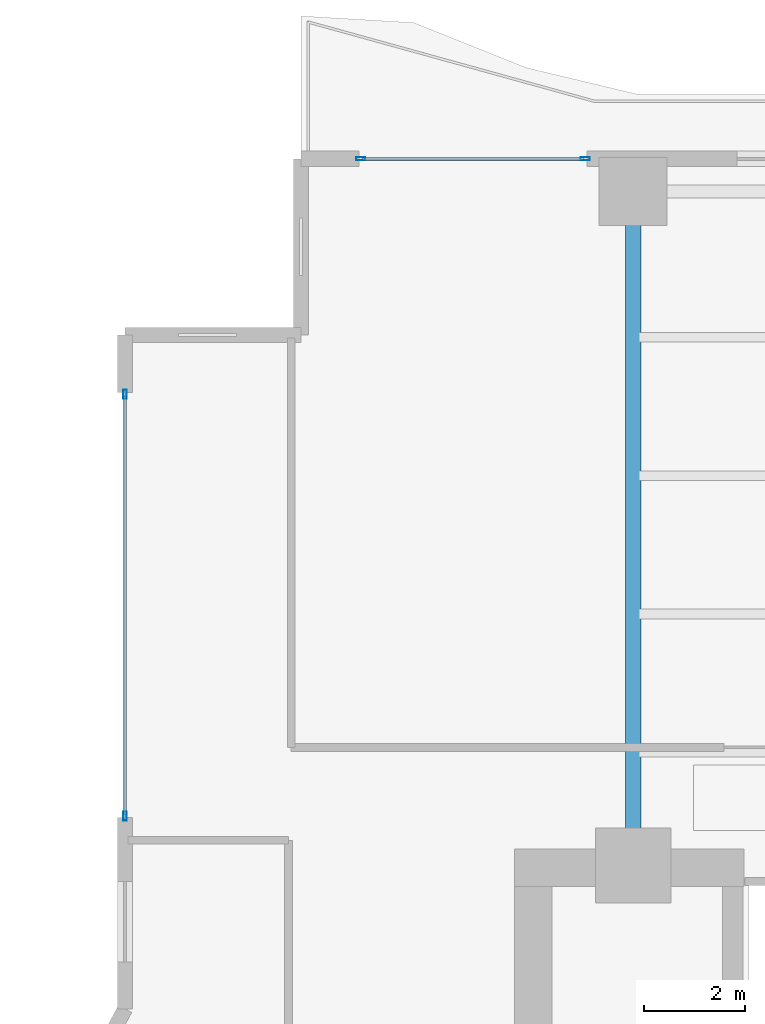
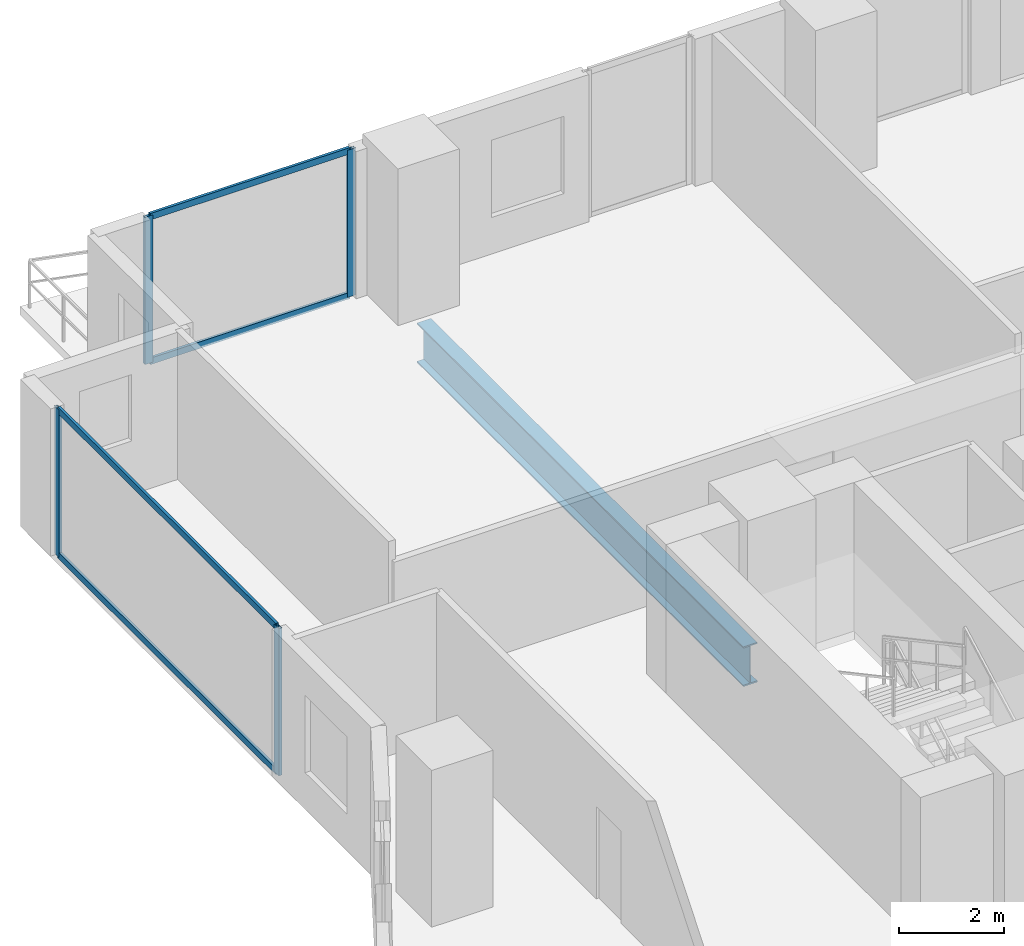
# One storey, part 14 of 28: 8 members, 1 beam, 2 elements without a shape of their own.
"""IFC4 building model written with IfcOpenShell, lengths in metres."""

import ifcopenshell
import ifcopenshell.guid

model = None  # the IFC model being written
_history = None  # IfcOwnerHistory: only IFC2X3 demands one
_inside = {}  # id of a spatial element -> (the spatial element, [elements in it])
_under = {}  # id of a project, library or spatial element -> (it, [spatial elements below it])
_declared = {}  # id of a project -> (the project, [libraries it declares])
_typed = {}  # id of a type object -> (the type object, [elements of that type])
_made_of = {}  # id of a material, layer set ... -> (it, [elements and type objects made of it])


def new_model(schema):
    """Start an empty IFC model of exactly this schema.

    Asked for "IFC4X3", IfcOpenShell would pick the latest addendum, in which some entities
    have other attributes; the version numbers below select the first issue.
    IFC2X3 requires an IfcOwnerHistory on every rooted entity: one is made here for all.
    """
    global model, _history
    if schema == "IFC4X3":
        model = ifcopenshell.file(schema_version=(4, 3, 0, 0))
    else:
        model = ifcopenshell.file(schema=schema)
    _inside.clear()
    _under.clear()
    _declared.clear()
    _typed.clear()
    _made_of.clear()
    _history = None
    if model.schema == "IFC2X3":
        org = make("IfcOrganization", Name="unknown")
        user = make(
            "IfcPersonAndOrganization",
            ThePerson=make("IfcPerson", FamilyName="unknown"),
            TheOrganization=org,
        )
        app = make(
            "IfcApplication",
            ApplicationDeveloper=org,
            Version="unknown",
            ApplicationFullName="unknown",
            ApplicationIdentifier="unknown",
        )
        _history = make(
            "IfcOwnerHistory",
            OwningUser=user,
            OwningApplication=app,
            ChangeAction="ADDED",
            CreationDate=0,
        )
    return model


def make(cls, **values):
    """One entity of the class cls with the attributes given. An attribute that is None is left unset."""
    return model.create_entity(
        cls, **{name: value for name, value in values.items() if value is not None}
    )


def rooted(cls, **values):
    """An entity with a GlobalId (a new one), such as an element, a storey or a relation."""
    return make(cls, GlobalId=ifcopenshell.guid.new(), OwnerHistory=_history, **values)


def si_unit(unit_type, name, prefix=None):
    """IfcSIUnit, for example si_unit("LENGTHUNIT", "METRE", prefix="MILLI")."""
    return make("IfcSIUnit", UnitType=unit_type, Prefix=prefix, Name=name)


def assignment(units):
    """IfcUnitAssignment: the units of a project."""
    return None if units is None else make("IfcUnitAssignment", Units=units)


def point(xyz):
    """IfcCartesianPoint."""
    return None if xyz is None else make("IfcCartesianPoint", Coordinates=xyz)


def direction(xyz):
    """IfcDirection."""
    return None if xyz is None else make("IfcDirection", DirectionRatios=xyz)


def frame(location, z_axis=None, x_axis=None):
    """IfcAxis2Placement3D, a coordinate frame: its origin and axes. An axis left out is left unset."""
    return make(
        "IfcAxis2Placement3D",
        Location=point(location),
        Axis=direction(z_axis),
        RefDirection=direction(x_axis),
    )


def frame_2d(location, x_axis=None):
    """IfcAxis2Placement2D, a coordinate frame in the plane: its origin and x axis."""
    return make(
        "IfcAxis2Placement2D", Location=point(location), RefDirection=direction(x_axis)
    )


def origin():
    """The frame at (0, 0, 0) with its axes left unset."""
    return frame((0.0, 0.0, 0.0))


def origin_2d():
    """The frame at (0, 0) in the plane with its x axis left unset."""
    return frame_2d((0.0, 0.0))


def place(relative_to, where):
    """IfcLocalPlacement: puts the frame where relative to a parent placement (None: the world)."""
    return make(
        "IfcLocalPlacement", PlacementRelTo=relative_to, RelativePlacement=where
    )


def context(
    kind, dimensions, precision=None, world=None, true_north=None, identifier=None
):
    """IfcGeometricRepresentationContext, for example the 3D "Model" context."""
    return make(
        "IfcGeometricRepresentationContext",
        ContextIdentifier=identifier,
        ContextType=kind,
        CoordinateSpaceDimension=dimensions,
        Precision=precision,
        WorldCoordinateSystem=world,
        TrueNorth=true_north,
    )


def subcontext(parent, identifier, kind, view, scale=None):
    """IfcGeometricRepresentationSubContext, for example "Body" below "Model"."""
    return make(
        "IfcGeometricRepresentationSubContext",
        ContextIdentifier=identifier,
        ContextType=kind,
        ParentContext=parent,
        TargetScale=scale,
        TargetView=view,
    )


def project(units=None, contexts=None):
    """IfcProject with its units and contexts."""
    return rooted(
        "IfcProject",
        Name="project",
        RepresentationContexts=contexts,
        UnitsInContext=assignment(units),
    )


def spatial(cls, under=None, at=None, **own):
    """A site, building, storey or space (cls), placed at a placement, below another one or the project."""
    s = rooted(cls, ObjectPlacement=at, **own)
    if under is not None:
        _under.setdefault(under.id(), (under, []))[1].append(s)
    return s


def profile(cls, at=None, kind="AREA", **sizes):
    """A parametric profile (cls). Its sizes go by their IFC names, for example OverallWidth=200.0."""
    return make(cls, ProfileType=kind, Position=at, **sizes)


def hollow_rectangle(**sizes):
    """IfcRectangleHollowProfileDef."""
    return profile("IfcRectangleHollowProfileDef", **sizes)


def i_section(**sizes):
    """IfcIShapeProfileDef."""
    return profile("IfcIShapeProfileDef", **sizes)


def extrude(swept, where, along, depth):
    """IfcExtrudedAreaSolid: the profile swept, set in the frame where, extruded along a direction by depth."""
    return make(
        "IfcExtrudedAreaSolid",
        SweptArea=swept,
        Position=where,
        ExtrudedDirection=direction(along),
        Depth=depth,
    )


def shape(context_of_items, identifier, shape_type, items):
    """IfcShapeRepresentation: the items that make up one representation, for example the "Body"."""
    return make(
        "IfcShapeRepresentation",
        ContextOfItems=context_of_items,
        RepresentationIdentifier=identifier,
        RepresentationType=shape_type,
        Items=items,
    )


def material(Name=None, Category=None):
    """IfcMaterial."""
    return make("IfcMaterial", Name=Name, Category=Category)


def layer(
    of_material, thickness, ventilated=None, Name=None, Category=None, Priority=None
):
    """IfcMaterialLayer: one layer of a wall or slab, of a material (None: an air gap)."""
    return make(
        "IfcMaterialLayer",
        Material=of_material,
        LayerThickness=thickness,
        IsVentilated=ventilated,
        Name=Name,
        Category=Category,
        Priority=Priority,
    )


def layer_set(layers, Name=None):
    """IfcMaterialLayerSet."""
    return make("IfcMaterialLayerSet", MaterialLayers=layers, LayerSetName=Name)


def material_profile(
    of_material, cross_section, Name=None, Category=None, Priority=None
):
    """IfcMaterialProfile: a cross section and its material."""
    return make(
        "IfcMaterialProfile",
        Name=Name,
        Material=of_material,
        Profile=cross_section,
        Priority=Priority,
        Category=Category,
    )


def profile_set(profiles, Name=None, composite=None):
    """IfcMaterialProfileSet."""
    return make(
        "IfcMaterialProfileSet",
        Name=Name,
        MaterialProfiles=profiles,
        CompositeProfile=composite,
    )


def made_of(thing, what):
    """Note that an element or type object is made of a material, layer set ...; save() writes the relation."""
    if what is not None:
        _made_of.setdefault(what.id(), (what, []))[1].append(thing)
    return thing


def type_object(cls, material=None, **own):
    """A type object (cls), such as IfcWallType, which elements share."""
    return made_of(rooted(cls, **own), material)


def element(
    cls,
    number,
    at=None,
    inside=None,
    cuts=None,
    type_object=None,
    material=None,
    context=None,
    identifier="Body",
    shape_type=None,
    held_by="IfcProductDefinitionShape",
    body=None,
    shapes=None,
    **own,
):
    """One element of the class cls, such as IfcWall. Its Tag is "e" and its number.

    at: its placement. inside: the storey or other place that contains it. cuts: it is an
    opening in that element (IfcRelVoidsElement). A single representation is given by context,
    identifier, shape_type and body (its items); several are given by shapes. held_by: the class
    of the entity that holds the representations. save() writes the other relations.
    """
    e = rooted(cls, Tag="e%d" % number, ObjectPlacement=at, **own)
    if body is not None:
        shapes = [shape(context, identifier, shape_type, body)]
    if shapes is not None:
        e.Representation = make(held_by, Representations=shapes)
    if inside is not None:
        _inside.setdefault(inside.id(), (inside, []))[1].append(e)
    if cuts is not None:
        rooted(
            "IfcRelVoidsElement", RelatingBuildingElement=cuts, RelatedOpeningElement=e
        )
    if type_object is not None:
        _typed.setdefault(type_object.id(), (type_object, []))[1].append(e)
    return made_of(e, material)


def aggregate(whole, parts):
    """IfcRelAggregates: a whole, such as a stair, and the parts it consists of."""
    return rooted("IfcRelAggregates", RelatingObject=whole, RelatedObjects=parts)


def save(model, path):
    """Write the relations noted so far, then the file.

    IfcRelAggregates (storeys below a building ...), IfcRelContainedInSpatialStructure (elements
    in a storey), IfcRelDefinesByType, IfcRelAssociatesMaterial and IfcRelDeclares: one each for
    every whole, place, type object, material and project.
    """
    for whole, parts in _under.values():
        aggregate(whole, parts)
    for where, things in _inside.values():
        rooted(
            "IfcRelContainedInSpatialStructure",
            RelatedElements=things,
            RelatingStructure=where,
        )
    for kind, things in _typed.values():
        rooted("IfcRelDefinesByType", RelatedObjects=things, RelatingType=kind)
    for what, things in _made_of.values():
        rooted("IfcRelAssociatesMaterial", RelatedObjects=things, RelatingMaterial=what)
    for by, libraries in _declared.values():
        rooted("IfcRelDeclares", RelatingContext=by, RelatedDefinitions=libraries)
    model.write(path)


model = new_model("IFC4")

# Units and contexts
model_context = context("Model", 3, precision=1e-05, world=origin(), true_north=direction((0.0, 1.0)))
body_context = subcontext(model_context, "Body", "Model", "MODEL_VIEW")
ifc_project = project(units=[si_unit("LENGTHUNIT", "METRE"), si_unit("AREAUNIT", "SQUARE_METRE"), si_unit("VOLUMEUNIT", "CUBIC_METRE"), si_unit("PLANEANGLEUNIT", "RADIAN"), si_unit("MASSUNIT", "GRAM", prefix="KILO")], contexts=[model_context])

# Site, building, storey
site_placement = place(None, origin())
site = spatial("IfcSite", under=ifc_project, at=site_placement, CompositionType="ELEMENT")
building_placement = place(site_placement, origin())
building = spatial("IfcBuilding", under=site, at=building_placement, Name="Zuhayl Quay Hotel", CompositionType="ELEMENT")
storey_placement = place(building_placement, frame((0.0, 0.0, 143.10009765625)))
storey = spatial("IfcBuildingStorey", under=building, at=storey_placement, Name="L36", CompositionType="ELEMENT", Elevation=143.10009765625)

# Beam
ifc_material_1 = material(Name="Steel ASTM A992 Grade 50", Category="steel")
ifc_material_profile_1 = material_profile(ifc_material_1, i_section(OverallWidth=0.306884765625, OverallDepth=0.927001953125, WebThickness=0.019287109375, FlangeThickness=0.031982421875, at=origin_2d()), Name="W36X194")
ifc_profile_set_1 = profile_set([ifc_material_profile_1], Name="Steel ASTM A992 Grade 50")
beam_type = type_object("IfcBeamType", Name="BM_PG2_W36X194", PredefinedType="BEAM", material=ifc_profile_set_1)
beam_placement = place(storey_placement, frame((-13.800048828125, 14.800048828125, -0.68359375), z_axis=(0.0, 1.0, 0.0), x_axis=(-1.0, 0.0, 0.0)))
element("IfcBeam", 1, at=beam_placement, inside=storey, type_object=beam_type, Name="L36 Floor Beam FG_N_L36_1", PredefinedType="BEAM", context=body_context, shape_type="SweptSolid", body=[
    extrude(i_section(OverallWidth=0.306884765625, OverallDepth=0.927001953125, WebThickness=0.019287109375, FlangeThickness=0.031982421875, at=origin_2d()), origin(), (0.0, 0.0, 1.0), 12.449951171875),
])

# Curtain wall, members
ifc_material_2 = material(Name="Anodised Aluminium 6063-T6", Category="aluminium")
ifc_layer = layer(ifc_material_2, 0.179931640625, Name="Anodised Aluminium 6063-T6", Category="aluminium")
ifc_layer_set = layer_set([ifc_layer], Name="Anodised Aluminium 6063-T6")
curtain_wall_type = type_object("IfcCurtainWallType", Name="CW_SYS_Z2", PredefinedType="USERDEFINED", material=ifc_layer_set)
curtain_wall_1_placement = place(storey_placement, origin())
curtain_wall_1 = element("IfcCurtainWall", 2, at=curtain_wall_1_placement, inside=storey, type_object=curtain_wall_type, Name="L36 Curtain Wall ENV_L36_E05_CW1", ObjectType="UNITISED CURTAIN WALL", PredefinedType="USERDEFINED")
ifc_material_3 = material(Name="Black-anodised aluminium 6063-T6", Category="aluminium")
ifc_material_profile_2 = material_profile(ifc_material_3, hollow_rectangle(XDim=0.06494140625, YDim=0.179931640625, WallThickness=0.00341796875, at=origin_2d()), Name="ALU180X65")
ifc_profile_set_2 = profile_set([ifc_material_profile_2], Name="Black-anodised aluminium 6063-T6")
member_type_1 = type_object("IfcMemberType", Name="MB_CW_MUL_180", PredefinedType="MULLION", material=ifc_profile_set_2)
member_1_placement = place(storey_placement, frame((-23.89990234375, 15.33251953125, 0.0), z_axis=(0.0, 0.0, 1.0), x_axis=(-1.0, 0.0, 0.0)))
member_1 = element("IfcMember", 3, at=member_1_placement, type_object=member_type_1, Name="CW-Z2 mullion 1", PredefinedType="MULLION", context=body_context, shape_type="SweptSolid", body=[
    extrude(hollow_rectangle(XDim=0.06494140625, YDim=0.179931640625, WallThickness=0.00341796875, at=origin_2d()), origin(), (0.0, 0.0, 1.0), 3.429931640625),
])
member_2_placement = place(storey_placement, frame((-23.89990234375, 23.717529296875, 0.0), z_axis=(0.0, 0.0, 1.0), x_axis=(-1.0, 0.0, 0.0)))
member_2 = element("IfcMember", 4, at=member_2_placement, type_object=member_type_1, Name="CW-Z2 mullion 2", PredefinedType="MULLION", context=body_context, shape_type="SweptSolid", body=[
    extrude(hollow_rectangle(XDim=0.06494140625, YDim=0.179931640625, WallThickness=0.00341796875, at=origin_2d()), origin(), (0.0, 0.0, 1.0), 3.429931640625),
])

curtain_wall_2_placement = place(storey_placement, origin())
curtain_wall_2 = element("IfcCurtainWall", 5, at=curtain_wall_2_placement, inside=storey, type_object=curtain_wall_type, Name="L36 Curtain Wall ENV_L36_N_CW1", ObjectType="UNITISED CURTAIN WALL", PredefinedType="USERDEFINED")
member_3_placement = place(storey_placement, frame((-19.217529296875, 28.39990234375, 0.0), z_axis=(0.0, 0.0, 1.0), x_axis=(0.0, 1.0, 0.0)))
member_3 = element("IfcMember", 6, at=member_3_placement, type_object=member_type_1, Name="CW-Z2 mullion 1", PredefinedType="MULLION", context=body_context, shape_type="SweptSolid", body=[
    extrude(hollow_rectangle(XDim=0.06494140625, YDim=0.179931640625, WallThickness=0.00341796875, at=origin_2d()), origin(), (0.0, 0.0, 1.0), 3.429931640625),
])
member_4_placement = place(storey_placement, frame((-14.75244140625, 28.39990234375, 0.0), z_axis=(0.0, 0.0, 1.0), x_axis=(0.0, 1.0, 0.0)))
member_4 = element("IfcMember", 7, at=member_4_placement, type_object=member_type_1, Name="CW-Z2 mullion 2", PredefinedType="MULLION", context=body_context, shape_type="SweptSolid", body=[
    extrude(hollow_rectangle(XDim=0.06494140625, YDim=0.179931640625, WallThickness=0.00341796875, at=origin_2d()), origin(), (0.0, 0.0, 1.0), 3.429931640625),
])

# Member
ifc_material_profile_3 = material_profile(ifc_material_3, hollow_rectangle(XDim=0.06005859375, YDim=0.14990234375, WallThickness=0.00341796875, at=origin_2d()), Name="ALU150X60")
ifc_profile_set_3 = profile_set([ifc_material_profile_3], Name="Black-anodised aluminium 6063-T6")
member_type_2 = type_object("IfcMemberType", Name="MB_CW_TRN_150", PredefinedType="USERDEFINED", material=ifc_profile_set_3)
member_5_placement = place(storey_placement, frame((-23.89990234375, 15.364990234375, 0.02978515625), z_axis=(0.0, 1.0, 0.0), x_axis=(-1.0, 0.0, 0.0)))
member_5 = element("IfcMember", 8, at=member_5_placement, type_object=member_type_2, Name="CW-Z2 transom 1.1", ObjectType="TRANSOM", PredefinedType="USERDEFINED", context=body_context, shape_type="SweptSolid", body=[
    extrude(hollow_rectangle(XDim=0.06005859375, YDim=0.14990234375, WallThickness=0.00341796875, at=origin_2d()), origin(), (0.0, 0.0, 1.0), 8.320068359375),
])

member_6_placement = place(storey_placement, frame((-23.89990234375, 15.364990234375, 3.39990234375), z_axis=(0.0, 1.0, 0.0), x_axis=(-1.0, 0.0, 0.0)))
member_6 = element("IfcMember", 9, at=member_6_placement, type_object=member_type_2, Name="CW-Z2 transom 1.2", ObjectType="TRANSOM", PredefinedType="USERDEFINED", context=body_context, shape_type="SweptSolid", body=[
    extrude(hollow_rectangle(XDim=0.06005859375, YDim=0.14990234375, WallThickness=0.00341796875, at=origin_2d()), origin(), (0.0, 0.0, 1.0), 8.320068359375),
])

aggregate(curtain_wall_1, [member_1, member_2, member_5, member_6])

member_7_placement = place(storey_placement, frame((-19.18505859375, 28.39990234375, 0.02978515625), z_axis=(1.0, 0.0, 0.0), x_axis=(0.0, 1.0, 0.0)))
member_7 = element("IfcMember", 10, at=member_7_placement, type_object=member_type_2, Name="CW-Z2 transom 1.1", ObjectType="TRANSOM", PredefinedType="USERDEFINED", context=body_context, shape_type="SweptSolid", body=[
    extrude(hollow_rectangle(XDim=0.06005859375, YDim=0.14990234375, WallThickness=0.00341796875, at=origin_2d()), origin(), (0.0, 0.0, 1.0), 4.400146484375),
])

member_8_placement = place(storey_placement, frame((-19.18505859375, 28.39990234375, 3.39990234375), z_axis=(1.0, 0.0, 0.0), x_axis=(0.0, 1.0, 0.0)))
member_8 = element("IfcMember", 11, at=member_8_placement, type_object=member_type_2, Name="CW-Z2 transom 1.2", ObjectType="TRANSOM", PredefinedType="USERDEFINED", context=body_context, shape_type="SweptSolid", body=[
    extrude(hollow_rectangle(XDim=0.06005859375, YDim=0.14990234375, WallThickness=0.00341796875, at=origin_2d()), origin(), (0.0, 0.0, 1.0), 4.400146484375),
])

aggregate(curtain_wall_2, [member_3, member_4, member_7, member_8])

save(model, "model.ifc")
